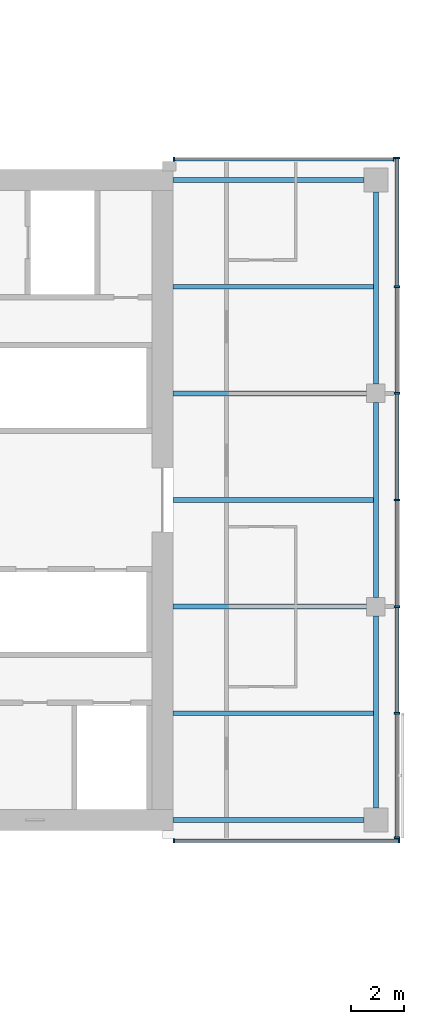
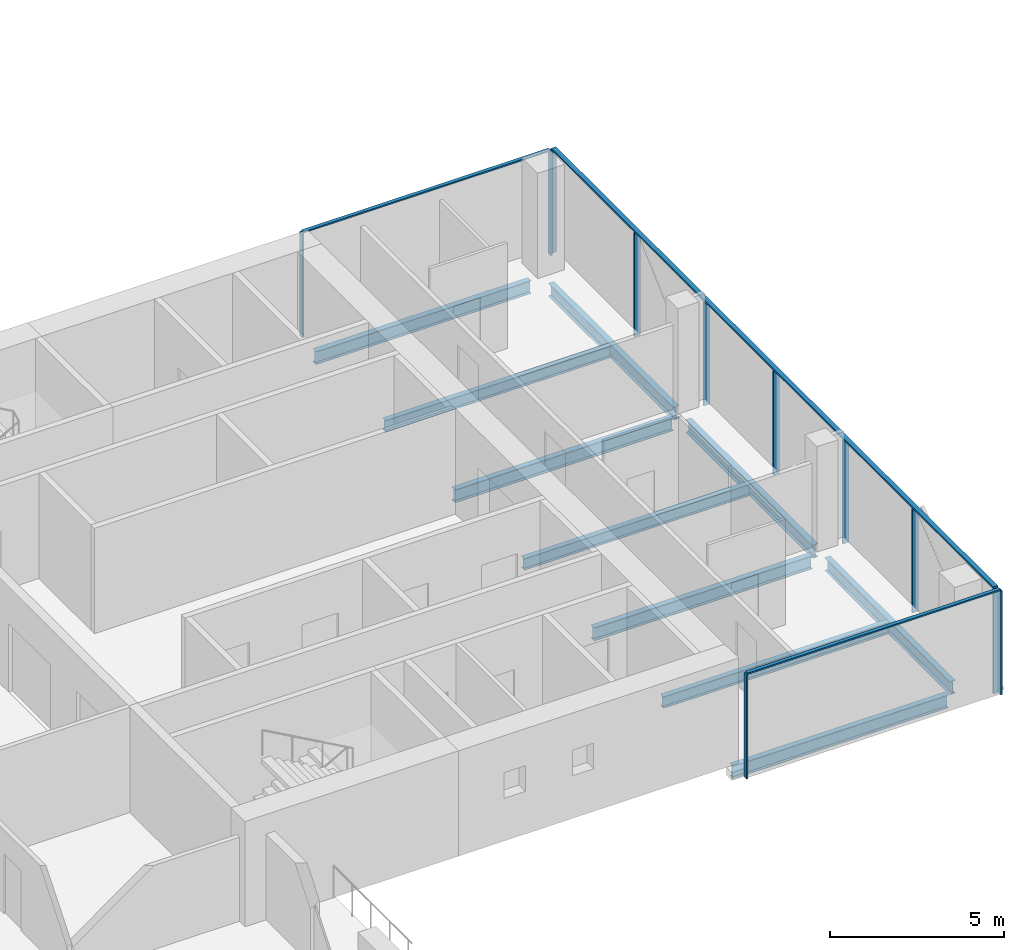
# One storey, part 11 of 27: 14 members, 10 beams, 3 elements without a shape of their own.
"""IFC4 building model written with IfcOpenShell, lengths in metres."""

from ifc_helpers import new_model, si_unit, direction, frame, origin, origin_2d, place, context, subcontext, project, spatial, rectangle, i_section, extrude, material, material_profile, profile_set, type_object, element, aggregate, save


model = new_model("IFC4")

# Units and contexts
model_context = context("Model", 3, precision=1e-05, world=origin(), true_north=direction((0.0, 1.0)))
body_context = subcontext(model_context, "Body", "Model", "MODEL_VIEW")
ifc_project = project(units=[si_unit("LENGTHUNIT", "METRE"), si_unit("AREAUNIT", "SQUARE_METRE"), si_unit("VOLUMEUNIT", "CUBIC_METRE"), si_unit("PLANEANGLEUNIT", "RADIAN"), si_unit("MASSUNIT", "GRAM", prefix="KILO")], contexts=[model_context])

# Site, building, storey
site_placement = place(None, origin())
site = spatial("IfcSite", under=ifc_project, at=site_placement, CompositionType="ELEMENT")
building_placement = place(site_placement, origin())
building = spatial("IfcBuilding", under=site, at=building_placement, Name="Crosswind Convention Tower", CompositionType="ELEMENT")
storey_placement = place(building_placement, frame((0.0, 0.0, 83.10009765625)))
storey = spatial("IfcBuildingStorey", under=building, at=storey_placement, Name="L15", CompositionType="ELEMENT", Elevation=83.10009765625)

# Beams
ifc_material_1 = material(Name="Steel S355", Category="steel")
ifc_material_profile_1 = material_profile(ifc_material_1, i_section(OverallWidth=0.1904296875, OverallDepth=0.457275390625, WebThickness=0.009033203125, FlangeThickness=0.014404296875, FilletRadius=0.01025390625, at=origin_2d()), Name="UB 457x191x75")
ifc_profile_set_1 = profile_set([ifc_material_profile_1], Name="Steel S355")
beam_type_1 = type_object("IfcBeamType", Name="Edge beam UB 457x191x75", PredefinedType="SPANDREL", material=ifc_profile_set_1)
for number, where, z_axis, x_axis, name in (
    (1, (153.39990234375, 88.0, -0.5087890625), (1.0, 0.0, 0.0), (0.0, 1.0, 0.0), "B17 L15 edge beam 24"),
    (2, (153.39990234375, 112.0, -0.5087890625), (1.0, 0.0, 0.0), (0.0, 1.0, 0.0), "B17 L15 edge beam 25"),
):
    element("IfcBeam", number, at=place(storey_placement, frame(where, z_axis=z_axis, x_axis=x_axis)), inside=storey, type_object=beam_type_1, Name=name, PredefinedType="SPANDREL", context=body_context, shape_type="SweptSolid", body=[
        extrude(i_section(OverallWidth=0.1904296875, OverallDepth=0.457275390625, WebThickness=0.009033203125, FlangeThickness=0.014404296875, FilletRadius=0.01025390625, at=origin_2d()), origin(), (0.0, 0.0, 1.0), 7.150146484375),
    ])
beam_1_placement = place(storey_placement, frame((161.0, 88.449951171875, -0.5087890625), z_axis=(0.0, 1.0, 0.0), x_axis=(-1.0, 0.0, 0.0)))
element("IfcBeam", 3, at=beam_1_placement, inside=storey, type_object=beam_type_1, Name="B17 L15 edge beam 26", PredefinedType="SPANDREL", context=body_context, shape_type="SweptSolid", body=[
    extrude(i_section(OverallWidth=0.1904296875, OverallDepth=0.457275390625, WebThickness=0.009033203125, FlangeThickness=0.014404296875, FilletRadius=0.01025390625, at=origin_2d()), origin(), (0.0, 0.0, 1.0), 7.199951171875),
])
beam_2_placement = place(storey_placement, frame((161.0, 96.35009765625, -0.5087890625), z_axis=(0.0, 1.0, 0.0), x_axis=(-1.0, 0.0, 0.0)))
element("IfcBeam", 4, at=beam_2_placement, inside=storey, type_object=beam_type_1, Name="B17 L15 edge beam 27", PredefinedType="SPANDREL", context=body_context, shape_type="SweptSolid", body=[
    extrude(i_section(OverallWidth=0.1904296875, OverallDepth=0.457275390625, WebThickness=0.009033203125, FlangeThickness=0.014404296875, FilletRadius=0.01025390625, at=origin_2d()), origin(), (0.0, 0.0, 1.0), 7.2998046875),
])
beam_3_placement = place(storey_placement, frame((161.0, 104.35009765625, -0.5087890625), z_axis=(0.0, 1.0, 0.0), x_axis=(-1.0, 0.0, 0.0)))
element("IfcBeam", 5, at=beam_3_placement, inside=storey, type_object=beam_type_1, Name="B17 L15 edge beam 28", PredefinedType="SPANDREL", context=body_context, shape_type="SweptSolid", body=[
    extrude(i_section(OverallWidth=0.1904296875, OverallDepth=0.457275390625, WebThickness=0.009033203125, FlangeThickness=0.014404296875, FilletRadius=0.01025390625, at=origin_2d()), origin(), (0.0, 0.0, 1.0), 7.199951171875),
])
ifc_material_profile_2 = material_profile(ifc_material_1, i_section(OverallWidth=0.19189453125, OverallDepth=0.463623046875, WebThickness=0.010498046875, FlangeThickness=0.017578125, FilletRadius=0.01025390625, at=origin_2d()), Name="UB 457x191x90")
ifc_profile_set_2 = profile_set([ifc_material_profile_2], Name="Steel S355")
beam_type_2 = type_object("IfcBeamType", Name="Girder at core wall UB 457x191x90", PredefinedType="BEAM", material=ifc_profile_set_2)
for number, where, z_axis, x_axis, name in (
    (6, (153.39990234375, 96.0, -0.511962890625), (1.0, 0.0, 0.0), (0.0, 1.0, 0.0), "B24 L15 girder at core wall 11"),
    (7, (153.39990234375, 104.0, -0.511962890625), (1.0, 0.0, 0.0), (0.0, 1.0, 0.0), "B24 L15 girder at core wall 12"),
):
    element("IfcBeam", number, at=place(storey_placement, frame(where, z_axis=z_axis, x_axis=x_axis)), inside=storey, type_object=beam_type_2, Name=name, PredefinedType="BEAM", context=body_context, shape_type="SweptSolid", body=[
        extrude(i_section(OverallWidth=0.19189453125, OverallDepth=0.463623046875, WebThickness=0.010498046875, FlangeThickness=0.017578125, FilletRadius=0.01025390625, at=origin_2d()), origin(), (0.0, 0.0, 1.0), 7.25),
    ])

# Curtain wall, members
ifc_material_2 = material(Name="Aluminium unitised curtain wall", Category="aluminium")
curtain_wall_type_1 = type_object("IfcCurtainWallType", Name="CORE END SLOT WALL 160", PredefinedType="USERDEFINED", material=ifc_material_2)
curtain_wall_1_placement = place(storey_placement, origin())
curtain_wall_1 = element("IfcCurtainWall", 8, at=curtain_wall_1_placement, inside=storey, type_object=curtain_wall_type_1, Name="CW6 L15 E-N.1-1 slot", ObjectType="UNITISED", PredefinedType="USERDEFINED")
ifc_material_3 = material(Name="Aluminium mullion", Category="aluminium")
ifc_material_profile_3 = material_profile(ifc_material_3, rectangle(XDim=0.159912109375, YDim=0.050048828125, at=origin_2d()), Name="AL 160X50")
ifc_profile_set_3 = profile_set([ifc_material_profile_3], Name="Aluminium mullion")
member_type_1 = type_object("IfcMemberType", Name="MULLION 50X160", PredefinedType="MULLION", material=ifc_profile_set_3)
member_1_placement = place(storey_placement, frame((161.675048828125, 112.780029296875, -0.280029296875), z_axis=(0.0, 0.0, 1.0), x_axis=(0.0, 1.0, 0.0)))
member_1 = element("IfcMember", 9, at=member_1_placement, type_object=member_type_1, Name="CW6 mullion 1", PredefinedType="MULLION", context=body_context, shape_type="SweptSolid", body=[
    extrude(rectangle(XDim=0.159912109375, YDim=0.050048828125, at=origin_2d()), origin(), (0.0, 0.0, 1.0), 3.64990234375),
])
member_2_placement = place(storey_placement, frame((153.425048828125, 112.780029296875, -0.280029296875), z_axis=(0.0, 0.0, 1.0), x_axis=(0.0, 1.0, 0.0)))
member_2 = element("IfcMember", 10, at=member_2_placement, type_object=member_type_1, Name="CW6 mullion 2", PredefinedType="MULLION", context=body_context, shape_type="SweptSolid", body=[
    extrude(rectangle(XDim=0.159912109375, YDim=0.050048828125, at=origin_2d()), origin(), (0.0, 0.0, 1.0), 3.64990234375),
])

curtain_wall_2_placement = place(storey_placement, origin())
curtain_wall_2 = element("IfcCurtainWall", 11, at=curtain_wall_2_placement, inside=storey, type_object=curtain_wall_type_1, Name="CW6 L15 E-S.2-1 slot", ObjectType="UNITISED", PredefinedType="USERDEFINED")
member_3_placement = place(storey_placement, frame((153.425048828125, 87.219970703125, -0.280029296875), z_axis=(0.0, 0.0, 1.0), x_axis=(0.0, -1.0, 0.0)))
member_3 = element("IfcMember", 12, at=member_3_placement, type_object=member_type_1, Name="CW6 mullion 1", PredefinedType="MULLION", context=body_context, shape_type="SweptSolid", body=[
    extrude(rectangle(XDim=0.159912109375, YDim=0.050048828125, at=origin_2d()), origin(), (0.0, 0.0, 1.0), 3.64990234375),
])
member_4_placement = place(storey_placement, frame((161.875, 87.219970703125, -0.280029296875), z_axis=(0.0, 0.0, 1.0), x_axis=(0.0, -1.0, 0.0)))
member_4 = element("IfcMember", 13, at=member_4_placement, type_object=member_type_1, Name="CW6 mullion 2", PredefinedType="MULLION", context=body_context, shape_type="SweptSolid", body=[
    extrude(rectangle(XDim=0.159912109375, YDim=0.050048828125, at=origin_2d()), origin(), (0.0, 0.0, 1.0), 3.64990234375),
])

curtain_wall_type_2 = type_object("IfcCurtainWallType", Name="HOTEL UNITISED WALL 200", PredefinedType="USERDEFINED", material=ifc_material_2)
curtain_wall_3_placement = place(storey_placement, origin())
curtain_wall_3 = element("IfcCurtainWall", 14, at=curtain_wall_3_placement, inside=storey, type_object=curtain_wall_type_2, Name="CW2 L15 E-TIP 1", ObjectType="UNITISED", PredefinedType="USERDEFINED")
ifc_material_profile_4 = material_profile(ifc_material_3, rectangle(XDim=0.199951171875, YDim=0.06494140625, at=origin_2d()), Name="AL 200X65")
ifc_profile_set_4 = profile_set([ifc_material_profile_4], Name="Aluminium mullion")
member_type_2 = type_object("IfcMemberType", Name="MULLION 65X200", PredefinedType="MULLION", material=ifc_profile_set_4)
member_5_placement = place(storey_placement, frame((161.800048828125, 87.33251953125, -0.280029296875), z_axis=(0.0, 0.0, 1.0), x_axis=(1.0, 0.0, 0.0)))
member_5 = element("IfcMember", 15, at=member_5_placement, type_object=member_type_2, Name="CW2 mullion 1", PredefinedType="MULLION", context=body_context, shape_type="SweptSolid", body=[
    extrude(rectangle(XDim=0.199951171875, YDim=0.06494140625, at=origin_2d()), origin(), (0.0, 0.0, 1.0), 3.635009765625),
])
member_6_placement = place(storey_placement, frame((161.800048828125, 92.0, -0.280029296875), z_axis=(0.0, 0.0, 1.0), x_axis=(1.0, 0.0, 0.0)))
member_6 = element("IfcMember", 16, at=member_6_placement, type_object=member_type_2, Name="CW2 mullion 2", PredefinedType="MULLION", context=body_context, shape_type="SweptSolid", body=[
    extrude(rectangle(XDim=0.199951171875, YDim=0.06494140625, at=origin_2d()), origin(), (0.0, 0.0, 1.0), 3.635009765625),
])
member_7_placement = place(storey_placement, frame((161.800048828125, 96.0, -0.280029296875), z_axis=(0.0, 0.0, 1.0), x_axis=(1.0, 0.0, 0.0)))
member_7 = element("IfcMember", 17, at=member_7_placement, type_object=member_type_2, Name="CW2 mullion 3", PredefinedType="MULLION", context=body_context, shape_type="SweptSolid", body=[
    extrude(rectangle(XDim=0.199951171875, YDim=0.06494140625, at=origin_2d()), origin(), (0.0, 0.0, 1.0), 3.635009765625),
])
member_8_placement = place(storey_placement, frame((161.800048828125, 100.0, -0.280029296875), z_axis=(0.0, 0.0, 1.0), x_axis=(1.0, 0.0, 0.0)))
member_8 = element("IfcMember", 18, at=member_8_placement, type_object=member_type_2, Name="CW2 mullion 4", PredefinedType="MULLION", context=body_context, shape_type="SweptSolid", body=[
    extrude(rectangle(XDim=0.199951171875, YDim=0.06494140625, at=origin_2d()), origin(), (0.0, 0.0, 1.0), 3.635009765625),
])
member_9_placement = place(storey_placement, frame((161.800048828125, 104.0, -0.280029296875), z_axis=(0.0, 0.0, 1.0), x_axis=(1.0, 0.0, 0.0)))
member_9 = element("IfcMember", 19, at=member_9_placement, type_object=member_type_2, Name="CW2 mullion 5", PredefinedType="MULLION", context=body_context, shape_type="SweptSolid", body=[
    extrude(rectangle(XDim=0.199951171875, YDim=0.06494140625, at=origin_2d()), origin(), (0.0, 0.0, 1.0), 3.635009765625),
])
member_10_placement = place(storey_placement, frame((161.800048828125, 108.0, -0.280029296875), z_axis=(0.0, 0.0, 1.0), x_axis=(1.0, 0.0, 0.0)))
member_10 = element("IfcMember", 20, at=member_10_placement, type_object=member_type_2, Name="CW2 mullion 6", PredefinedType="MULLION", context=body_context, shape_type="SweptSolid", body=[
    extrude(rectangle(XDim=0.199951171875, YDim=0.06494140625, at=origin_2d()), origin(), (0.0, 0.0, 1.0), 3.635009765625),
])
member_11_placement = place(storey_placement, frame((161.800048828125, 112.827392578125, -0.280029296875), z_axis=(0.0, 0.0, 1.0), x_axis=(1.0, 0.0, 0.0)))
member_11 = element("IfcMember", 21, at=member_11_placement, type_object=member_type_2, Name="CW2 mullion 7", PredefinedType="MULLION", context=body_context, shape_type="SweptSolid", body=[
    extrude(rectangle(XDim=0.199951171875, YDim=0.06494140625, at=origin_2d()), origin(), (0.0, 0.0, 1.0), 3.635009765625),
])

# Beams
ifc_material_profile_5 = material_profile(ifc_material_1, i_section(OverallWidth=0.177734375, OverallDepth=0.406494140625, WebThickness=0.0078125, FlangeThickness=0.0126953125, FilletRadius=0.01025390625, at=origin_2d()), Name="UB 406x178x60")
ifc_profile_set_5 = profile_set([ifc_material_profile_5], Name="Steel S355")
beam_type_3 = type_object("IfcBeamType", Name="Secondary beam UB 406x178x60", PredefinedType="JOIST", material=ifc_profile_set_5)
for number, where, z_axis, x_axis, name in (
    (22, (153.39990234375, 92.0, -0.4833984375), (1.0, 0.0, 0.0), (0.0, 1.0, 0.0), "B10 L15 secondary beam 31"),
    (23, (153.39990234375, 100.0, -0.4833984375), (1.0, 0.0, 0.0), (0.0, 1.0, 0.0), "B10 L15 secondary beam 32"),
    (24, (153.39990234375, 108.0, -0.4833984375), (1.0, 0.0, 0.0), (0.0, 1.0, 0.0), "B10 L15 secondary beam 33"),
):
    element("IfcBeam", number, at=place(storey_placement, frame(where, z_axis=z_axis, x_axis=x_axis)), inside=storey, type_object=beam_type_3, Name=name, PredefinedType="JOIST", context=body_context, shape_type="SweptSolid", body=[
        extrude(i_section(OverallWidth=0.177734375, OverallDepth=0.406494140625, WebThickness=0.0078125, FlangeThickness=0.0126953125, FilletRadius=0.01025390625, at=origin_2d()), origin(), (0.0, 0.0, 1.0), 7.5048828125),
    ])

# Member
ifc_material_4 = material(Name="Aluminium transom", Category="aluminium")
ifc_material_profile_6 = material_profile(ifc_material_4, rectangle(XDim=0.1201171875, YDim=0.050048828125, at=origin_2d()), Name="AL 120X50")
ifc_profile_set_6 = profile_set([ifc_material_profile_6], Name="Aluminium transom")
member_type_3 = type_object("IfcMemberType", Name="TRANSOM 50X120", PredefinedType="USERDEFINED", material=ifc_profile_set_6)
member_12_placement = place(storey_placement, frame((161.64990234375, 112.780029296875, 3.39501953125), z_axis=(-1.0, 0.0, 0.0), x_axis=(0.0, -1.0, 0.0)))
member_12 = element("IfcMember", 25, at=member_12_placement, type_object=member_type_3, Name="CW6 transom", ObjectType="TRANSOM", PredefinedType="USERDEFINED", context=body_context, shape_type="SweptSolid", body=[
    extrude(rectangle(XDim=0.1201171875, YDim=0.050048828125, at=origin_2d()), origin(), (0.0, 0.0, 1.0), 8.199951171875),
])

aggregate(curtain_wall_1, [member_1, member_2, member_12])

member_13_placement = place(storey_placement, frame((153.449951171875, 87.219970703125, 3.39501953125), z_axis=(1.0, 0.0, 0.0), x_axis=(0.0, 1.0, 0.0)))
member_13 = element("IfcMember", 26, at=member_13_placement, type_object=member_type_3, Name="CW6 transom", ObjectType="TRANSOM", PredefinedType="USERDEFINED", context=body_context, shape_type="SweptSolid", body=[
    extrude(rectangle(XDim=0.1201171875, YDim=0.050048828125, at=origin_2d()), origin(), (0.0, 0.0, 1.0), 8.400146484375),
])

aggregate(curtain_wall_2, [member_3, member_4, member_13])

ifc_material_profile_7 = material_profile(ifc_material_4, rectangle(XDim=0.14990234375, YDim=0.06494140625, at=origin_2d()), Name="AL 150X65")
ifc_profile_set_7 = profile_set([ifc_material_profile_7], Name="Aluminium transom")
member_type_4 = type_object("IfcMemberType", Name="TRANSOM 65X150", PredefinedType="USERDEFINED", material=ifc_profile_set_7)
member_14_placement = place(storey_placement, frame((161.800048828125, 87.364990234375, 3.387451171875), z_axis=(0.0, 1.0, 0.0), x_axis=(-1.0, 0.0, 0.0)))
member_14 = element("IfcMember", 27, at=member_14_placement, type_object=member_type_4, Name="CW2 transom", ObjectType="TRANSOM", PredefinedType="USERDEFINED", context=body_context, shape_type="SweptSolid", body=[
    extrude(rectangle(XDim=0.14990234375, YDim=0.06494140625, at=origin_2d()), origin(), (0.0, 0.0, 1.0), 25.429931640625),
])

aggregate(curtain_wall_3, [member_5, member_6, member_7, member_8, member_9, member_10, member_11, member_14])

save(model, "model.ifc")
